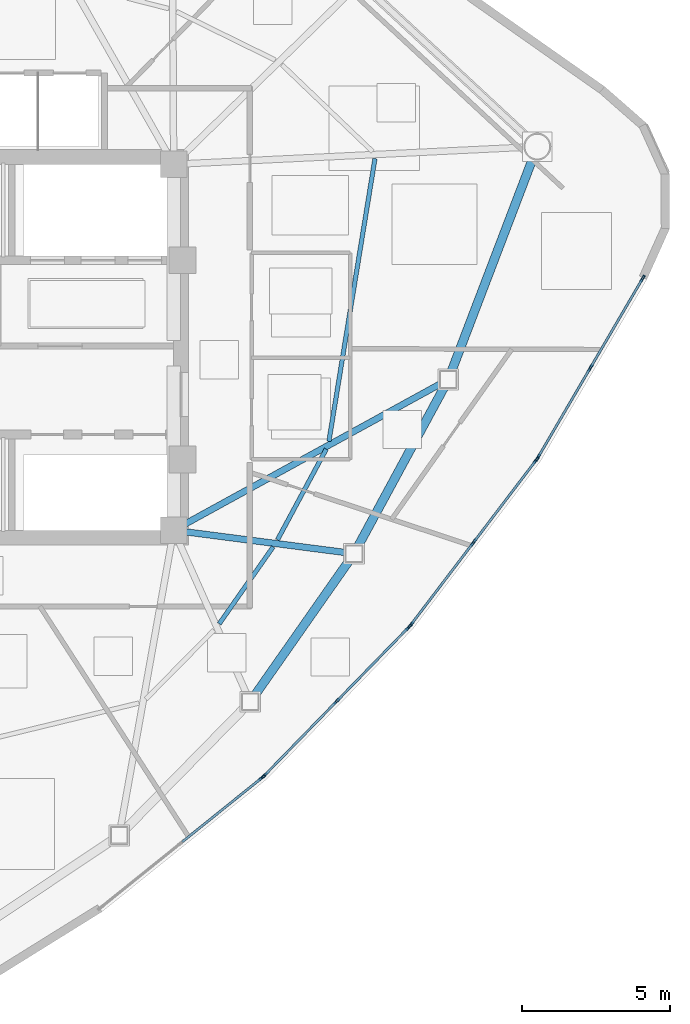
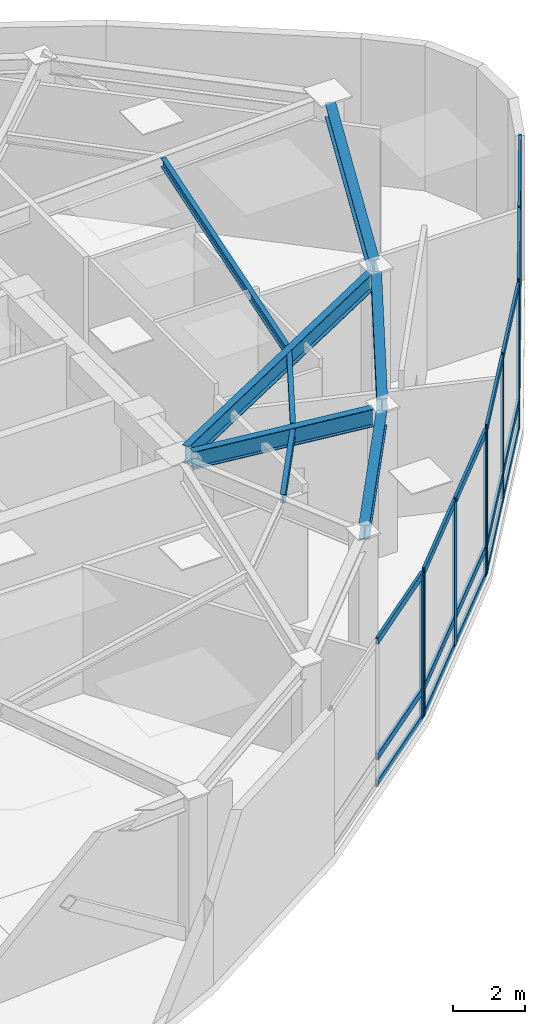
# One storey, part 4 of 12: 31 members, 8 beams, 4 elements without a shape of their own.
"""IFC4 building model written with IfcOpenShell, lengths in metres."""

from ifc_helpers import new_model, si_unit, direction, frame, origin, origin_2d, place, context, subcontext, project, spatial, hollow_rectangle, i_section, extrude, source, transform, mapped, material, layer, layer_set, material_profile, profile_set, type_object, type_shapes, element, aggregate, save


model = new_model("IFC4")

# Units and contexts
model_context = context("Model", 3, precision=1e-05, world=origin(), true_north=direction((0.0, 1.0)))
body_context = subcontext(model_context, "Body", "Model", "MODEL_VIEW")
ifc_project = project(units=[si_unit("LENGTHUNIT", "METRE"), si_unit("AREAUNIT", "SQUARE_METRE"), si_unit("VOLUMEUNIT", "CUBIC_METRE"), si_unit("PLANEANGLEUNIT", "RADIAN"), si_unit("MASSUNIT", "GRAM", prefix="KILO")], contexts=[model_context])

# Site, building, storey
site_placement = place(None, origin())
site = spatial("IfcSite", under=ifc_project, at=site_placement, CompositionType="ELEMENT")
building_placement = place(site_placement, origin())
building = spatial("IfcBuilding", under=site, at=building_placement, Name="Tavelor Broadcast Tower", CompositionType="ELEMENT")
storey_placement = place(building_placement, frame((0.0, 0.0, 216.949951171875)))
storey = spatial("IfcBuildingStorey", under=building, at=storey_placement, Name="L51", CompositionType="ELEMENT", Elevation=216.949951171875)

# Beams
ifc_material_1 = material(Name="Steel S355", Category="steel")
ifc_material_profile_1 = material_profile(ifc_material_1, i_section(OverallWidth=0.14990234375, OverallDepth=0.300048828125, WebThickness=0.007080078125, FlangeThickness=0.0107421875, at=origin_2d()), Name="IPE 300")
ifc_profile_set_1 = profile_set([ifc_material_profile_1], Name="Steel S355")
beam_type_1 = type_object("IfcBeamType", Name="Composite Floor Joist T5 IPE 300", PredefinedType="JOIST", material=ifc_profile_set_1)
beam_1_placement = place(storey_placement, frame((58.1435546875, 35.632568359375, 4.75), z_axis=(0.573982104788, 0.81886784244, 0.0), x_axis=(-0.81886784244, 0.573982104788, 0.0)))
element("IfcBeam", 1, at=beam_1_placement, inside=storey, type_object=beam_type_1, Name="L51 Secondary Composite Floor Joist 10", PredefinedType="JOIST", context=body_context, shape_type="SweptSolid", body=[
    extrude(i_section(OverallWidth=0.14990234375, OverallDepth=0.300048828125, WebThickness=0.007080078125, FlangeThickness=0.0107421875, at=origin_2d()), origin(), (0.0, 0.0, 1.0), 3.183349609375),
])
beam_2_placement = place(storey_placement, frame((60.11669921875, 38.476318359375, 4.75), z_axis=(0.473687126384, 0.880693196464, 0.0), x_axis=(-0.880693196464, 0.473687126384, 0.0)))
element("IfcBeam", 2, at=beam_2_placement, inside=storey, type_object=beam_type_1, Name="L51 Secondary Composite Floor Joist 11", PredefinedType="JOIST", context=body_context, shape_type="SweptSolid", body=[
    extrude(i_section(OverallWidth=0.14990234375, OverallDepth=0.300048828125, WebThickness=0.007080078125, FlangeThickness=0.0107421875, at=origin_2d()), origin(), (0.0, 0.0, 1.0), 3.492919921875),
])
beam_3_placement = place(storey_placement, frame((61.859619140625, 41.812744140625, 4.75), z_axis=(0.160809479217, 0.986985466658, 0.0), x_axis=(-0.986985466658, 0.160809479217, 0.0)))
element("IfcBeam", 3, at=beam_3_placement, inside=storey, type_object=beam_type_1, Name="L51 Secondary Composite Floor Joist 12", PredefinedType="JOIST", context=body_context, shape_type="SweptSolid", body=[
    extrude(i_section(OverallWidth=0.14990234375, OverallDepth=0.300048828125, WebThickness=0.007080078125, FlangeThickness=0.0107421875, at=origin_2d()), origin(), (0.0, 0.0, 1.0), 9.708984375),
])
ifc_material_profile_2 = material_profile(ifc_material_1, i_section(OverallWidth=0.300048828125, OverallDepth=0.489990234375, WebThickness=0.011962890625, FlangeThickness=0.02294921875, at=origin_2d()), Name="HEA 500")
ifc_profile_set_2 = profile_set([ifc_material_profile_2], Name="Steel S355")
beam_type_2 = type_object("IfcBeamType", Name="Perimeter Spandrel Beam T5 HEA 500", PredefinedType="SPANDREL", material=ifc_profile_set_2)
beam_4_placement = place(storey_placement, frame((59.357666015625, 33.222900390625, 4.655029296875), z_axis=(0.573798498873, 0.818996509572, 0.0), x_axis=(-0.818996509572, 0.573798498873, 0.0)))
element("IfcBeam", 4, at=beam_4_placement, inside=storey, type_object=beam_type_2, Name="L51 Framed-Tube Ring Spandrel 10", PredefinedType="SPANDREL", context=body_context, shape_type="SweptSolid", body=[
    extrude(i_section(OverallWidth=0.300048828125, OverallDepth=0.489990234375, WebThickness=0.011962890625, FlangeThickness=0.02294921875, at=origin_2d()), origin(), (0.0, 0.0, 1.0), 5.555908203125),
])
beam_5_placement = place(storey_placement, frame((62.84814453125, 38.26220703125, 4.655029296875), z_axis=(0.476295969148, 0.879285021921, 0.0), x_axis=(-0.879285021921, 0.476295969148, 0.0)))
element("IfcBeam", 5, at=beam_5_placement, inside=storey, type_object=beam_type_2, Name="L51 Framed-Tube Ring Spandrel 11", PredefinedType="SPANDREL", context=body_context, shape_type="SweptSolid", body=[
    extrude(i_section(OverallWidth=0.300048828125, OverallDepth=0.489990234375, WebThickness=0.011962890625, FlangeThickness=0.02294921875, at=origin_2d()), origin(), (0.0, 0.0, 1.0), 6.134521484375),
])
beam_6_placement = place(storey_placement, frame((66.010009765625, 44.178466796875, 4.655029296875), z_axis=(0.356691025332, 0.934222410589, 0.0), x_axis=(-0.934222410589, 0.356691025332, 0.0)))
element("IfcBeam", 6, at=beam_6_placement, inside=storey, type_object=beam_type_2, Name="L51 Framed-Tube Ring Spandrel 12", PredefinedType="SPANDREL", context=body_context, shape_type="SweptSolid", body=[
    extrude(i_section(OverallWidth=0.300048828125, OverallDepth=0.489990234375, WebThickness=0.011962890625, FlangeThickness=0.02294921875, at=origin_2d()), origin(), (0.0, 0.0, 1.0), 7.71875),
])
ifc_material_profile_3 = material_profile(ifc_material_1, i_section(OverallWidth=0.219970703125, OverallDepth=0.60009765625, WebThickness=0.011962890625, FlangeThickness=0.01904296875, at=origin_2d()), Name="IPE 600")
ifc_profile_set_3 = profile_set([ifc_material_profile_3], Name="Steel S355")
beam_type_3 = type_object("IfcBeamType", Name="Radial Floor Girder T5 IPE 600", PredefinedType="BEAM", material=ifc_profile_set_3)
beam_7_placement = place(storey_placement, frame((57.0283203125, 38.74462890625, 4.60009765625), z_axis=(0.991728752797, -0.12835139608, 0.0), x_axis=(0.12835139608, 0.991728752797, 0.0)))
element("IfcBeam", 7, at=beam_7_placement, inside=storey, type_object=beam_type_3, Name="L51 Radial Primary Floor Girder 11", PredefinedType="BEAM", context=body_context, shape_type="SweptSolid", body=[
    extrude(i_section(OverallWidth=0.219970703125, OverallDepth=0.60009765625, WebThickness=0.011962890625, FlangeThickness=0.01904296875, at=origin_2d()), origin(), (0.0, 0.0, 1.0), 5.44189453125),
])
beam_8_placement = place(storey_placement, frame((56.978759765625, 39.0078125, 4.60009765625), z_axis=(0.876594261461, 0.481230195201, 0.0), x_axis=(-0.481230195201, 0.876594261461, 0.0)))
element("IfcBeam", 8, at=beam_8_placement, inside=storey, type_object=beam_type_3, Name="L51 Radial Primary Floor Girder 12", PredefinedType="BEAM", context=body_context, shape_type="SweptSolid", body=[
    extrude(i_section(OverallWidth=0.219970703125, OverallDepth=0.60009765625, WebThickness=0.011962890625, FlangeThickness=0.01904296875, at=origin_2d()), origin(), (0.0, 0.0, 1.0), 9.8974609375),
])

# Curtain wall, member
ifc_material_2 = material(Name="Architectural Anodized Aluminium", Category="aluminium")
ifc_layer = layer(ifc_material_2, 0.239990234375)
ifc_layer_set = layer_set([ifc_layer], Name="Architectural Anodized Aluminium")
curtain_wall_type = type_object("IfcCurtainWallType", Name="Sky Lobby Feature Structural Curtain Wall CW05", PredefinedType="NOTDEFINED", material=ifc_layer_set)
curtain_wall_1_placement = place(storey_placement, origin())
curtain_wall_1 = element("IfcCurtainWall", 9, at=curtain_wall_1_placement, inside=storey, type_object=curtain_wall_type, Name="L51 Curtain Wall CW05 Run 545", PredefinedType="NOTDEFINED")
ifc_material_profile_4 = material_profile(ifc_material_2, hollow_rectangle(XDim=0.080078125, YDim=0.239990234375, WallThickness=0.02197265625, at=origin_2d()), Name="RHS 80x240x22")
ifc_profile_set_4 = profile_set([ifc_material_profile_4], Name="Architectural Anodized Aluminium")
member_type_1 = type_object("IfcMemberType", Name="CW05 Extruded Aluminium Mullion 80x240", PredefinedType="MULLION", material=ifc_profile_set_4)
shared_shape_1 = source(origin(), body_context, "Body", "SweptSolid", [
    extrude(hollow_rectangle(XDim=0.080078125, YDim=0.239990234375, WallThickness=0.02197265625, at=origin_2d()), origin(), (0.0, 0.0, 1.0), 4.900146484375),
])
type_shapes(member_type_1, [shared_shape_1])
member_1_placement = place(storey_placement, frame((59.59423828125, 30.418212890625, 0.0), z_axis=(0.0, 0.0, 1.0), x_axis=(-0.626937934584, 0.779069205, 0.0)))
member_1 = element("IfcMember", 10, at=member_1_placement, type_object=member_type_1, Name="CW05 mullion 3", PredefinedType="MULLION", context=body_context, shape_type="MappedRepresentation", body=[
    mapped(shared_shape_1, transform((0.0, 0.0, 0.0), scale=1.0)),
])

# Curtain wall, members
curtain_wall_2_placement = place(storey_placement, origin())
curtain_wall_2 = element("IfcCurtainWall", 11, at=curtain_wall_2_placement, inside=storey, type_object=curtain_wall_type, Name="L51 Curtain Wall CW05 Run 546", PredefinedType="NOTDEFINED")
member_2_placement = place(storey_placement, frame((59.67529296875, 30.4921875, 0.0), z_axis=(0.0, 0.0, 1.0), x_axis=(-0.716606439521, 0.697477749349, 0.0)))
member_2 = element("IfcMember", 12, at=member_2_placement, type_object=member_type_1, Name="CW05 mullion 1", PredefinedType="MULLION", context=body_context, shape_type="MappedRepresentation", body=[
    mapped(shared_shape_1, transform((0.0, 0.0, 0.0), scale=1.0)),
])
member_3_placement = place(storey_placement, frame((62.11962890625, 33.00341796875, 0.0), z_axis=(0.0, 0.0, 1.0), x_axis=(-0.716606439521, 0.697477749349, 0.0)))
member_3 = element("IfcMember", 13, at=member_3_placement, type_object=member_type_1, Name="CW05 mullion 2", PredefinedType="MULLION", context=body_context, shape_type="MappedRepresentation", body=[
    mapped(shared_shape_1, transform((0.0, 0.0, 0.0), scale=1.0)),
])
member_4_placement = place(storey_placement, frame((64.56396484375, 35.5146484375, 0.0), z_axis=(0.0, 0.0, 1.0), x_axis=(-0.716606439521, 0.697477749349, 0.0)))
member_4 = element("IfcMember", 14, at=member_4_placement, type_object=member_type_1, Name="CW05 mullion 3", PredefinedType="MULLION", context=body_context, shape_type="MappedRepresentation", body=[
    mapped(shared_shape_1, transform((0.0, 0.0, 0.0), scale=1.0)),
])

curtain_wall_3_placement = place(storey_placement, origin())
curtain_wall_3 = element("IfcCurtainWall", 15, at=curtain_wall_3_placement, inside=storey, type_object=curtain_wall_type, Name="L51 Curtain Wall CW05 Run 547", PredefinedType="NOTDEFINED")
member_5_placement = place(storey_placement, frame((64.635498046875, 35.597900390625, 0.0), z_axis=(0.0, 0.0, 1.0), x_axis=(-0.795746372894, 0.605630010837, 0.0)))
member_5 = element("IfcMember", 16, at=member_5_placement, type_object=member_type_1, Name="CW05 mullion 1", PredefinedType="MULLION", context=body_context, shape_type="MappedRepresentation", body=[
    mapped(shared_shape_1, transform((0.0, 0.0, 0.0), scale=1.0)),
])
member_6_placement = place(storey_placement, frame((66.7578125, 38.386474609375, 0.0), z_axis=(0.0, 0.0, 1.0), x_axis=(-0.795746372894, 0.605630010837, 0.0)))
member_6 = element("IfcMember", 17, at=member_6_placement, type_object=member_type_1, Name="CW05 mullion 2", PredefinedType="MULLION", context=body_context, shape_type="MappedRepresentation", body=[
    mapped(shared_shape_1, transform((0.0, 0.0, 0.0), scale=1.0)),
])
member_7_placement = place(storey_placement, frame((68.88037109375, 41.175048828125, 0.0), z_axis=(0.0, 0.0, 1.0), x_axis=(-0.795746372894, 0.605630010837, 0.0)))
member_7 = element("IfcMember", 18, at=member_7_placement, type_object=member_type_1, Name="CW05 mullion 3", PredefinedType="MULLION", context=body_context, shape_type="MappedRepresentation", body=[
    mapped(shared_shape_1, transform((0.0, 0.0, 0.0), scale=1.0)),
])

curtain_wall_4_placement = place(storey_placement, origin())
curtain_wall_4 = element("IfcCurtainWall", 19, at=curtain_wall_4_placement, inside=storey, type_object=curtain_wall_type, Name="L51 Curtain Wall CW05 Run 548", PredefinedType="NOTDEFINED")
member_8_placement = place(storey_placement, frame((68.94140625, 41.266357421875, 0.0), z_axis=(0.0, 0.0, 1.0), x_axis=(-0.863184593951, 0.504888459727, 0.0)))
member_8 = element("IfcMember", 20, at=member_8_placement, type_object=member_type_1, Name="CW05 mullion 1", PredefinedType="MULLION", context=body_context, shape_type="MappedRepresentation", body=[
    mapped(shared_shape_1, transform((0.0, 0.0, 0.0), scale=1.0)),
])
member_9_placement = place(storey_placement, frame((70.714599609375, 44.29833984375, 0.0), z_axis=(0.0, 0.0, 1.0), x_axis=(-0.863184593951, 0.504888459727, 0.0)))
member_9 = element("IfcMember", 21, at=member_9_placement, type_object=member_type_1, Name="CW05 mullion 2", PredefinedType="MULLION", context=body_context, shape_type="MappedRepresentation", body=[
    mapped(shared_shape_1, transform((0.0, 0.0, 0.0), scale=1.0)),
])
member_10_placement = place(storey_placement, frame((72.488037109375, 47.330078125, 0.0), z_axis=(0.0, 0.0, 1.0), x_axis=(-0.863184593951, 0.504888459727, 0.0)))
member_10 = element("IfcMember", 22, at=member_10_placement, type_object=member_type_1, Name="CW05 mullion 3", PredefinedType="MULLION", context=body_context, shape_type="MappedRepresentation", body=[
    mapped(shared_shape_1, transform((0.0, 0.0, 0.0), scale=1.0)),
])

# Member
ifc_material_profile_5 = material_profile(ifc_material_2, hollow_rectangle(XDim=0.080078125, YDim=0.239990234375, WallThickness=0.02197265625, at=origin_2d()), Name="RHS 80x240x22")
ifc_profile_set_5 = profile_set([ifc_material_profile_5], Name="Architectural Anodized Aluminium")
member_type_2 = type_object("IfcMemberType", Name="CW05 Extruded Aluminium Transom 80x240", PredefinedType="USERDEFINED", material=ifc_profile_set_5)
shared_shape_2 = source(origin(), body_context, "Body", "SweptSolid", [
    extrude(hollow_rectangle(XDim=0.080078125, YDim=0.239990234375, WallThickness=0.02197265625, at=origin_2d()), origin(), (0.0, 0.0, 1.0), 3.431640625),
])
member_11_placement = place(storey_placement, frame((56.889404296875, 28.24169921875, 0.0400390625), z_axis=(0.77908880678, 0.626913575504, 0.0), x_axis=(-0.626913575504, 0.77908880678, 0.0)))
member_11 = element("IfcMember", 23, at=member_11_placement, type_object=member_type_2, Name="CW05 transom 2.1", ObjectType="TRANSOM", PredefinedType="USERDEFINED", context=body_context, shape_type="MappedRepresentation", body=[
    mapped(shared_shape_2, transform((0.0, 0.0, 0.0), scale=1.0)),
])

member_12_placement = place(storey_placement, frame((56.889404296875, 28.24169921875, 0.949951171875), z_axis=(0.77908880678, 0.626913575504, 0.0), x_axis=(-0.626913575504, 0.77908880678, 0.0)))
member_12 = element("IfcMember", 24, at=member_12_placement, type_object=member_type_2, Name="CW05 transom 2.2", ObjectType="TRANSOM", PredefinedType="USERDEFINED", context=body_context, shape_type="MappedRepresentation", body=[
    mapped(shared_shape_2, transform((0.0, 0.0, 0.0), scale=1.0)),
])

member_13_placement = place(storey_placement, frame((56.889404296875, 28.24169921875, 4.860107421875), z_axis=(0.77908880678, 0.626913575504, 0.0), x_axis=(-0.626913575504, 0.77908880678, 0.0)))
member_13 = element("IfcMember", 25, at=member_13_placement, type_object=member_type_2, Name="CW05 transom 2.3", ObjectType="TRANSOM", PredefinedType="USERDEFINED", context=body_context, shape_type="MappedRepresentation", body=[
    mapped(shared_shape_2, transform((0.0, 0.0, 0.0), scale=1.0)),
])

aggregate(curtain_wall_1, [member_1, member_11, member_12, member_13])

shared_shape_3 = source(origin(), body_context, "Body", "SweptSolid", [
    extrude(hollow_rectangle(XDim=0.080078125, YDim=0.239990234375, WallThickness=0.02197265625, at=origin_2d()), origin(), (0.0, 0.0, 1.0), 3.42431640625),
])
member_14_placement = place(storey_placement, frame((62.1474609375, 33.0322265625, 0.0400390625), z_axis=(0.697488577485, 0.716595900266, 0.0), x_axis=(-0.716595900266, 0.697488577485, 0.0)))
member_14 = element("IfcMember", 26, at=member_14_placement, type_object=member_type_2, Name="CW05 transom 2.1", ObjectType="TRANSOM", PredefinedType="USERDEFINED", context=body_context, shape_type="MappedRepresentation", body=[
    mapped(shared_shape_3, transform((0.0, 0.0, 0.0), scale=1.0)),
])

member_15_placement = place(storey_placement, frame((62.1474609375, 33.0322265625, 0.949951171875), z_axis=(0.697488577485, 0.716595900266, 0.0), x_axis=(-0.716595900266, 0.697488577485, 0.0)))
member_15 = element("IfcMember", 27, at=member_15_placement, type_object=member_type_2, Name="CW05 transom 2.2", ObjectType="TRANSOM", PredefinedType="USERDEFINED", context=body_context, shape_type="MappedRepresentation", body=[
    mapped(shared_shape_3, transform((0.0, 0.0, 0.0), scale=1.0)),
])

member_16_placement = place(storey_placement, frame((62.1474609375, 33.0322265625, 4.860107421875), z_axis=(0.697488577485, 0.716595900266, 0.0), x_axis=(-0.716595900266, 0.697488577485, 0.0)))
member_16 = element("IfcMember", 28, at=member_16_placement, type_object=member_type_2, Name="CW05 transom 2.3", ObjectType="TRANSOM", PredefinedType="USERDEFINED", context=body_context, shape_type="MappedRepresentation", body=[
    mapped(shared_shape_3, transform((0.0, 0.0, 0.0), scale=1.0)),
])

member_17_placement = place(storey_placement, frame((66.7822265625, 38.41845703125, 0.0400390625), z_axis=(0.605609196668, 0.795762213799, 0.0), x_axis=(-0.795762213799, 0.605609196668, 0.0)))
member_17 = element("IfcMember", 29, at=member_17_placement, type_object=member_type_2, Name="CW05 transom 2.1", ObjectType="TRANSOM", PredefinedType="USERDEFINED", context=body_context, shape_type="MappedRepresentation", body=[
    mapped(shared_shape_3, transform((0.0, 0.0, 0.0), scale=1.0)),
])

member_18_placement = place(storey_placement, frame((66.7822265625, 38.41845703125, 0.949951171875), z_axis=(0.605609196668, 0.795762213799, 0.0), x_axis=(-0.795762213799, 0.605609196668, 0.0)))
member_18 = element("IfcMember", 30, at=member_18_placement, type_object=member_type_2, Name="CW05 transom 2.2", ObjectType="TRANSOM", PredefinedType="USERDEFINED", context=body_context, shape_type="MappedRepresentation", body=[
    mapped(shared_shape_3, transform((0.0, 0.0, 0.0), scale=1.0)),
])

member_19_placement = place(storey_placement, frame((66.7822265625, 38.41845703125, 4.860107421875), z_axis=(0.605609196668, 0.795762213799, 0.0), x_axis=(-0.795762213799, 0.605609196668, 0.0)))
member_19 = element("IfcMember", 31, at=member_19_placement, type_object=member_type_2, Name="CW05 transom 2.3", ObjectType="TRANSOM", PredefinedType="USERDEFINED", context=body_context, shape_type="MappedRepresentation", body=[
    mapped(shared_shape_3, transform((0.0, 0.0, 0.0), scale=1.0)),
])

shared_shape_4 = source(origin(), body_context, "Body", "SweptSolid", [
    extrude(hollow_rectangle(XDim=0.080078125, YDim=0.239990234375, WallThickness=0.02197265625, at=origin_2d()), origin(), (0.0, 0.0, 1.0), 3.424560546875),
])
member_20_placement = place(storey_placement, frame((59.703369140625, 30.520751953125, 0.0400390625), z_axis=(0.697452943468, 0.716630582412, 0.0), x_axis=(-0.716630582412, 0.697452943468, 0.0)))
member_20 = element("IfcMember", 32, at=member_20_placement, type_object=member_type_2, Name="CW05 transom 1.1", ObjectType="TRANSOM", PredefinedType="USERDEFINED", context=body_context, shape_type="MappedRepresentation", body=[
    mapped(shared_shape_4, transform((0.0, 0.0, 0.0), scale=1.0)),
])

member_21_placement = place(storey_placement, frame((59.703369140625, 30.520751953125, 0.949951171875), z_axis=(0.697452943468, 0.716630582412, 0.0), x_axis=(-0.716630582412, 0.697452943468, 0.0)))
member_21 = element("IfcMember", 33, at=member_21_placement, type_object=member_type_2, Name="CW05 transom 1.2", ObjectType="TRANSOM", PredefinedType="USERDEFINED", context=body_context, shape_type="MappedRepresentation", body=[
    mapped(shared_shape_4, transform((0.0, 0.0, 0.0), scale=1.0)),
])

member_22_placement = place(storey_placement, frame((59.703369140625, 30.520751953125, 4.860107421875), z_axis=(0.697452943468, 0.716630582412, 0.0), x_axis=(-0.716630582412, 0.697452943468, 0.0)))
member_22 = element("IfcMember", 34, at=member_22_placement, type_object=member_type_2, Name="CW05 transom 1.3", ObjectType="TRANSOM", PredefinedType="USERDEFINED", context=body_context, shape_type="MappedRepresentation", body=[
    mapped(shared_shape_4, transform((0.0, 0.0, 0.0), scale=1.0)),
])

aggregate(curtain_wall_2, [member_2, member_3, member_4, member_20, member_21, member_22, member_14, member_15, member_16])

member_23_placement = place(storey_placement, frame((64.65966796875, 35.629638671875, 0.0400390625), z_axis=(0.605619984176, 0.795754003928, 0.0), x_axis=(-0.795754003928, 0.605619984176, 0.0)))
member_23 = element("IfcMember", 35, at=member_23_placement, type_object=member_type_2, Name="CW05 transom 1.1", ObjectType="TRANSOM", PredefinedType="USERDEFINED", context=body_context, shape_type="MappedRepresentation", body=[
    mapped(shared_shape_4, transform((0.0, 0.0, 0.0), scale=1.0)),
])

member_24_placement = place(storey_placement, frame((64.65966796875, 35.629638671875, 0.949951171875), z_axis=(0.605619984176, 0.795754003928, 0.0), x_axis=(-0.795754003928, 0.605619984176, 0.0)))
member_24 = element("IfcMember", 36, at=member_24_placement, type_object=member_type_2, Name="CW05 transom 1.2", ObjectType="TRANSOM", PredefinedType="USERDEFINED", context=body_context, shape_type="MappedRepresentation", body=[
    mapped(shared_shape_4, transform((0.0, 0.0, 0.0), scale=1.0)),
])

member_25_placement = place(storey_placement, frame((64.65966796875, 35.629638671875, 4.860107421875), z_axis=(0.605619984176, 0.795754003928, 0.0), x_axis=(-0.795754003928, 0.605619984176, 0.0)))
member_25 = element("IfcMember", 37, at=member_25_placement, type_object=member_type_2, Name="CW05 transom 1.3", ObjectType="TRANSOM", PredefinedType="USERDEFINED", context=body_context, shape_type="MappedRepresentation", body=[
    mapped(shared_shape_4, transform((0.0, 0.0, 0.0), scale=1.0)),
])

aggregate(curtain_wall_3, [member_5, member_6, member_7, member_23, member_24, member_25, member_17, member_18, member_19])

shared_shape_5 = source(origin(), body_context, "Body", "SweptSolid", [
    extrude(hollow_rectangle(XDim=0.080078125, YDim=0.239990234375, WallThickness=0.02197265625, at=origin_2d()), origin(), (0.0, 0.0, 1.0), 3.432373046875),
])
member_26_placement = place(storey_placement, frame((70.73486328125, 44.332763671875, 0.0400390625), z_axis=(0.504861316362, 0.863200469903, 0.0), x_axis=(-0.863200469903, 0.504861316362, 0.0)))
member_26 = element("IfcMember", 38, at=member_26_placement, type_object=member_type_2, Name="CW05 transom 2.1", ObjectType="TRANSOM", PredefinedType="USERDEFINED", context=body_context, shape_type="MappedRepresentation", body=[
    mapped(shared_shape_5, transform((0.0, 0.0, 0.0), scale=1.0)),
])

member_27_placement = place(storey_placement, frame((70.73486328125, 44.332763671875, 0.949951171875), z_axis=(0.504861316362, 0.863200469903, 0.0), x_axis=(-0.863200469903, 0.504861316362, 0.0)))
member_27 = element("IfcMember", 39, at=member_27_placement, type_object=member_type_2, Name="CW05 transom 2.2", ObjectType="TRANSOM", PredefinedType="USERDEFINED", context=body_context, shape_type="MappedRepresentation", body=[
    mapped(shared_shape_5, transform((0.0, 0.0, 0.0), scale=1.0)),
])

member_28_placement = place(storey_placement, frame((70.73486328125, 44.332763671875, 4.860107421875), z_axis=(0.504861316362, 0.863200469903, 0.0), x_axis=(-0.863200469903, 0.504861316362, 0.0)))
member_28 = element("IfcMember", 40, at=member_28_placement, type_object=member_type_2, Name="CW05 transom 2.3", ObjectType="TRANSOM", PredefinedType="USERDEFINED", context=body_context, shape_type="MappedRepresentation", body=[
    mapped(shared_shape_5, transform((0.0, 0.0, 0.0), scale=1.0)),
])

shared_shape_6 = source(origin(), body_context, "Body", "SweptSolid", [
    extrude(hollow_rectangle(XDim=0.080078125, YDim=0.239990234375, WallThickness=0.02197265625, at=origin_2d()), origin(), (0.0, 0.0, 1.0), 3.43212890625),
])
type_shapes(member_type_2, [shared_shape_2, shared_shape_3, shared_shape_4, shared_shape_5, shared_shape_6])
member_29_placement = place(storey_placement, frame((68.96142578125, 41.301025390625, 0.0400390625), z_axis=(0.504892314954, 0.863182338964, 0.0), x_axis=(-0.863182338964, 0.504892314954, 0.0)))
member_29 = element("IfcMember", 41, at=member_29_placement, type_object=member_type_2, Name="CW05 transom 1.1", ObjectType="TRANSOM", PredefinedType="USERDEFINED", context=body_context, shape_type="MappedRepresentation", body=[
    mapped(shared_shape_6, transform((0.0, 0.0, 0.0), scale=1.0)),
])

member_30_placement = place(storey_placement, frame((68.96142578125, 41.301025390625, 0.949951171875), z_axis=(0.504892314954, 0.863182338964, 0.0), x_axis=(-0.863182338964, 0.504892314954, 0.0)))
member_30 = element("IfcMember", 42, at=member_30_placement, type_object=member_type_2, Name="CW05 transom 1.2", ObjectType="TRANSOM", PredefinedType="USERDEFINED", context=body_context, shape_type="MappedRepresentation", body=[
    mapped(shared_shape_6, transform((0.0, 0.0, 0.0), scale=1.0)),
])

member_31_placement = place(storey_placement, frame((68.96142578125, 41.301025390625, 4.860107421875), z_axis=(0.504892314954, 0.863182338964, 0.0), x_axis=(-0.863182338964, 0.504892314954, 0.0)))
member_31 = element("IfcMember", 43, at=member_31_placement, type_object=member_type_2, Name="CW05 transom 1.3", ObjectType="TRANSOM", PredefinedType="USERDEFINED", context=body_context, shape_type="MappedRepresentation", body=[
    mapped(shared_shape_6, transform((0.0, 0.0, 0.0), scale=1.0)),
])

aggregate(curtain_wall_4, [member_8, member_9, member_10, member_29, member_30, member_31, member_26, member_27, member_28])

save(model, "model.ifc")
